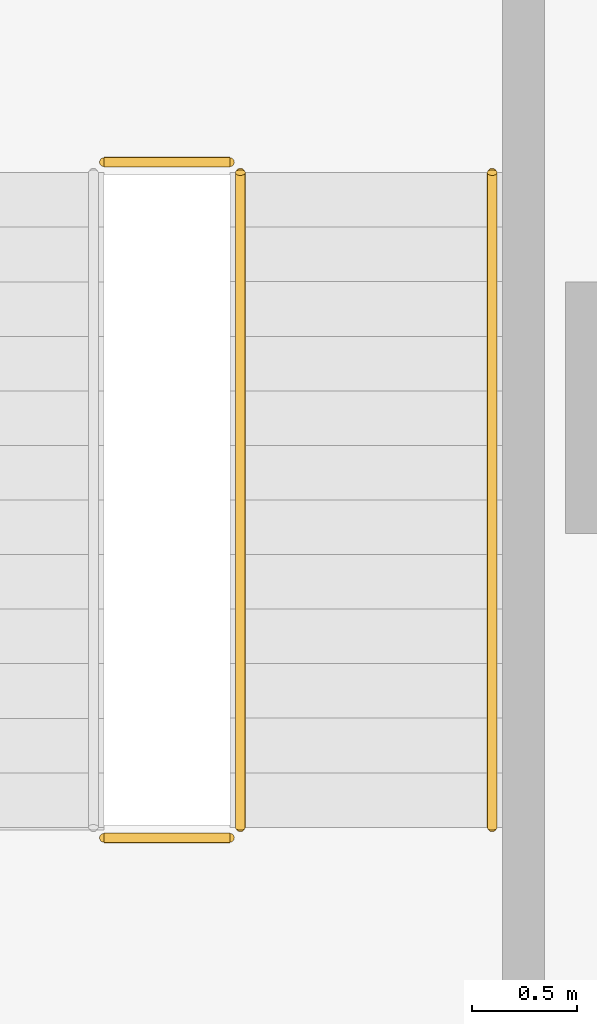
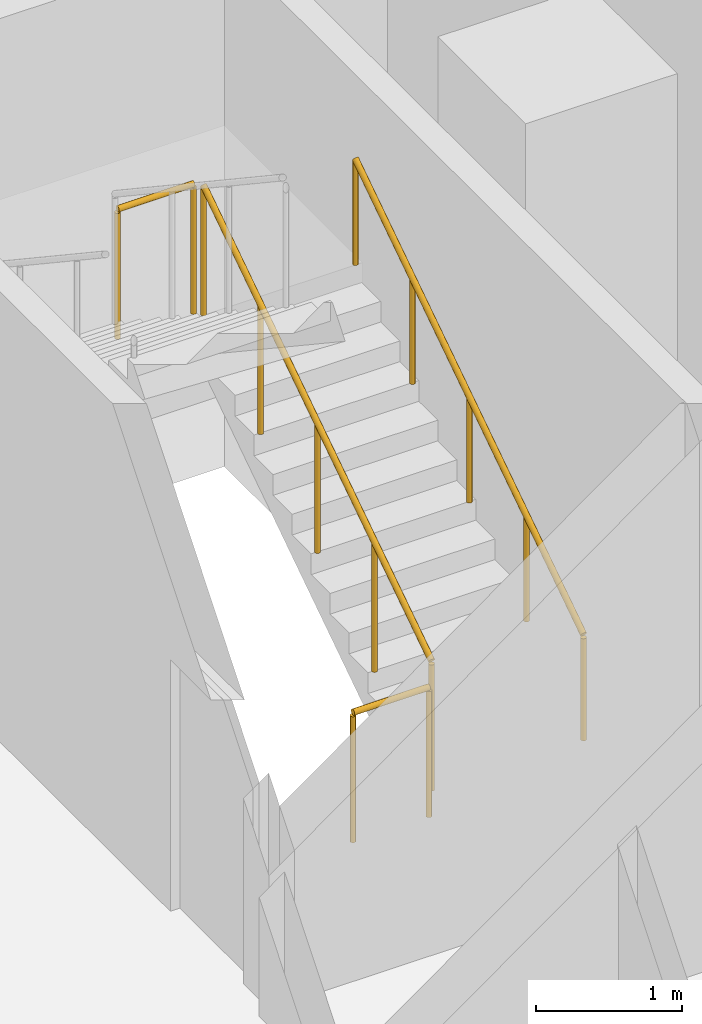
# One storey, part 36 of 37: 4 railings.
"""IFC4 building model written with IfcOpenShell, lengths in metres."""

from ifc_helpers import new_model, si_unit, direction, frame, origin, origin_2d, place, context, subcontext, project, spatial, circle, extrude, material, type_object, element, save


model = new_model("IFC4")

# Units and contexts
model_context = context("Model", 3, precision=1e-05, world=origin(), true_north=direction((0.0, 1.0)))
body_context = subcontext(model_context, "Body", "Model", "MODEL_VIEW")
ifc_project = project(units=[si_unit("LENGTHUNIT", "METRE"), si_unit("AREAUNIT", "SQUARE_METRE"), si_unit("VOLUMEUNIT", "CUBIC_METRE"), si_unit("PLANEANGLEUNIT", "RADIAN"), si_unit("MASSUNIT", "GRAM", prefix="KILO")], contexts=[model_context])

# Site, building, storey
site_placement = place(None, origin())
site = spatial("IfcSite", under=ifc_project, at=site_placement, CompositionType="ELEMENT")
building_placement = place(site_placement, origin())
building = spatial("IfcBuilding", under=site, at=building_placement, Name="Tamarind Cross Interchange Tower", CompositionType="ELEMENT")
storey_placement = place(building_placement, frame((0.0, 0.0, 29.5)))
storey = spatial("IfcBuildingStorey", under=building, at=storey_placement, Name="L05", CompositionType="ELEMENT", Elevation=29.5)

# Railings
ifc_material_1 = material(Name="Stair guard")
railing_type_1 = type_object("IfcRailingType", Name="Stair guard", PredefinedType="GUARDRAIL", material=ifc_material_1)
railing_1_placement = place(storey_placement, frame((3.35009765625, 28.300048828125, 0.173095703125)))
element("IfcRailing", 1, at=railing_1_placement, inside=storey, type_object=railing_type_1, Name="L05 ST4 stair guard 1", PredefinedType="GUARDRAIL", context=body_context, shape_type="SweptSolid", body=[
    extrude(circle(Radius=0.02392578125, at=origin_2d()), frame((0.0, 0.0, 1.076171875), z_axis=(0.0, 0.832420903958, 0.554143879018), x_axis=(-1.0, 0.0, 0.0)), (0.0, 0.0, 1.0), 3.748046875),
    extrude(circle(Radius=0.02099609375, at=origin_2d()), origin(), (0.0, 0.0, 1.0), 1.052001953125),
    extrude(circle(Radius=0.02099609375, at=origin_2d()), frame((0.0, 0.780029296875, 0.519287109375)), (0.0, 0.0, 1.0), 1.052001953125),
    extrude(circle(Radius=0.02099609375, at=origin_2d()), frame((0.0, 1.56005859375, 1.03857421875)), (0.0, 0.0, 1.0), 1.052001953125),
    extrude(circle(Radius=0.02099609375, at=origin_2d()), frame((0.0, 2.33984375, 1.5576171875)), (0.0, 0.0, 1.0), 1.052001953125),
    extrude(circle(Radius=0.02099609375, at=origin_2d()), frame((0.0, 3.119873046875, 2.076904296875)), (0.0, 0.0, 1.0), 1.052001953125),
])
for number, where, name in (
    (2, (3.300048828125, 31.469970703125, 2.25), "L05 ST4 stair guard 2"),
    (3, (3.300048828125, 28.25, 0.0), "L05 ST4 stair guard 4"),
):
    element("IfcRailing", number, at=place(storey_placement, frame(where)), inside=storey, type_object=railing_type_1, Name=name, PredefinedType="GUARDRAIL", context=body_context, shape_type="SweptSolid", body=[
        extrude(circle(Radius=0.02392578125, at=origin_2d()), frame((0.0, 0.0, 1.076171875), z_axis=(-1.0, 0.0, 0.0), x_axis=(0.0, -1.0, 0.0)), (0.0, 0.0, 1.0), 0.60009765625),
        extrude(circle(Radius=0.02099609375, at=origin_2d()), origin(), (0.0, 0.0, 1.0), 1.052001953125),
        extrude(circle(Radius=0.02099609375, at=origin_2d()), frame((-0.60009765625, 0.0, 0.0)), (0.0, 0.0, 1.0), 1.052001953125),
    ])
ifc_material_2 = material(Name="Stair handrail")
railing_type_2 = type_object("IfcRailingType", Name="Stair handrail", PredefinedType="HANDRAIL", material=ifc_material_2)
railing_2_placement = place(storey_placement, frame((4.550048828125, 28.300048828125, 0.173095703125)))
element("IfcRailing", 4, at=railing_2_placement, inside=storey, type_object=railing_type_2, Name="L05 ST4 stair handrail 1", PredefinedType="HANDRAIL", context=body_context, shape_type="SweptSolid", body=[
    extrude(circle(Radius=0.02392578125, at=origin_2d()), frame((0.0, 0.0, 0.8759765625), z_axis=(0.0, 0.832420903958, 0.554143879018), x_axis=(-1.0, 0.0, 0.0)), (0.0, 0.0, 1.0), 3.748046875),
    extrude(circle(Radius=0.02099609375, at=origin_2d()), origin(), (0.0, 0.0, 1.0), 0.851806640625),
    extrude(circle(Radius=0.02099609375, at=origin_2d()), frame((0.0, 0.780029296875, 0.519287109375)), (0.0, 0.0, 1.0), 0.851806640625),
    extrude(circle(Radius=0.02099609375, at=origin_2d()), frame((0.0, 1.56005859375, 1.03857421875)), (0.0, 0.0, 1.0), 0.851806640625),
    extrude(circle(Radius=0.02099609375, at=origin_2d()), frame((0.0, 2.33984375, 1.5576171875)), (0.0, 0.0, 1.0), 0.851806640625),
    extrude(circle(Radius=0.02099609375, at=origin_2d()), frame((0.0, 3.119873046875, 2.076904296875)), (0.0, 0.0, 1.0), 0.851806640625),
])

save(model, "model.ifc")
